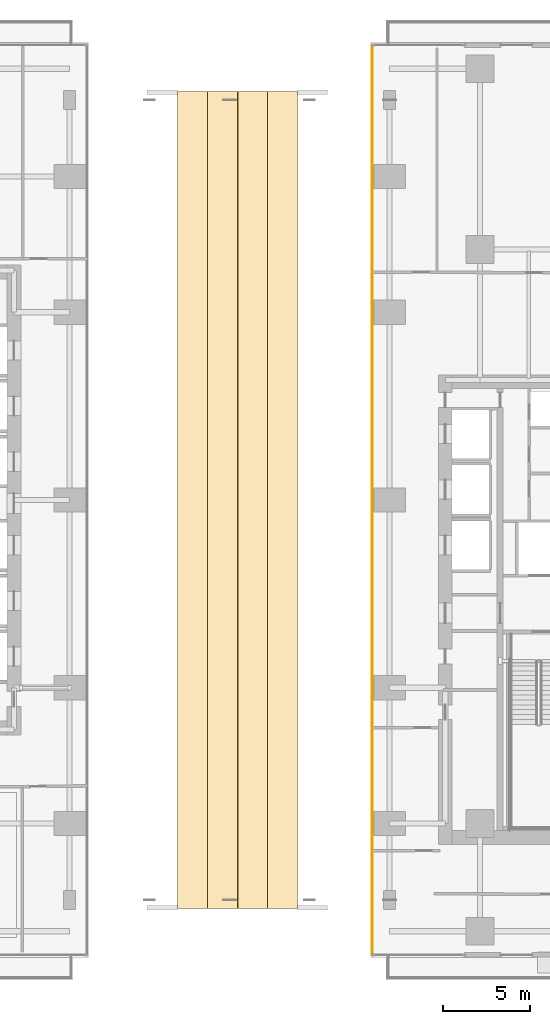
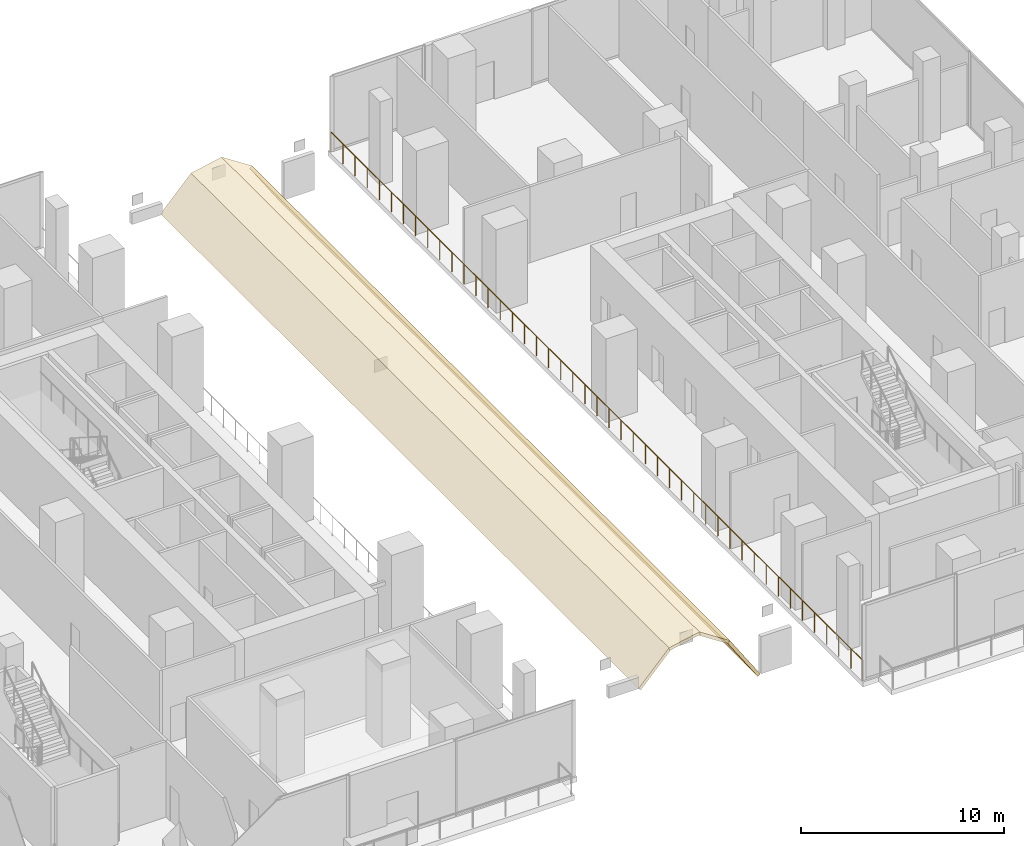
# One storey, part 27 of 32: 4 coverings, 1 railing.
"""IFC4 building model written with IfcOpenShell, lengths in metres."""

from ifc_helpers import new_model, si_unit, direction, frame, origin, origin_2d, place, context, subcontext, project, spatial, polyline, circle, outline, extrude, material, layer, layer_set, type_object, element, save


model = new_model("IFC4")

# Units and contexts
model_context = context("Model", 3, precision=1e-05, world=origin(), true_north=direction((0.0, 1.0)))
body_context = subcontext(model_context, "Body", "Model", "MODEL_VIEW")
ifc_project = project(units=[si_unit("LENGTHUNIT", "METRE"), si_unit("AREAUNIT", "SQUARE_METRE"), si_unit("VOLUMEUNIT", "CUBIC_METRE"), si_unit("PLANEANGLEUNIT", "RADIAN"), si_unit("MASSUNIT", "GRAM", prefix="KILO")], contexts=[model_context])

# Site, building, storey
site_placement = place(None, origin())
site = spatial("IfcSite", under=ifc_project, at=site_placement, CompositionType="ELEMENT")
building_placement = place(site_placement, origin())
building = spatial("IfcBuilding", under=site, at=building_placement, Name="Khairoan Windgate Tower", CompositionType="ELEMENT")
storey_placement = place(building_placement, frame((0.0, 0.0, 16.0)))
storey = spatial("IfcBuildingStorey", under=building, at=storey_placement, Name="L04", CompositionType="ELEMENT", Elevation=16.0)

# Railing
ifc_material_1 = material(Name="Anodised Bronze Aluminium 6063-T6", Category="aluminium")
railing_type = type_object("IfcRailingType", Name="Aerodynamic Bronze-and-Glass Balustrade BAL-1200", PredefinedType="BALUSTRADE", material=ifc_material_1)
railing_placement = place(storey_placement, frame((8.199951171875, -26.159912109375, 0.0)))
element("IfcRailing", 1, at=railing_placement, inside=storey, type_object=railing_type, Name="L04 Arch Void Edge Guardrail 2", PredefinedType="BALUSTRADE", context=body_context, shape_type="SweptSolid", body=[
    extrude(circle(Radius=0.02392578125, at=origin_2d()), frame((0.0, 0.0, 1.17578125), z_axis=(0.0, 1.0, 0.0), x_axis=(-1.0, 0.0, 0.0)), (0.0, 0.0, 1.0), 52.31982421875),
    extrude(circle(Radius=0.02099609375, at=origin_2d()), origin(), (0.0, 0.0, 1.0), 1.15185546875),
    extrude(circle(Radius=0.02099609375, at=origin_2d()), frame((0.0, 1.18896484375, 0.0)), (0.0, 0.0, 1.0), 1.15185546875),
    extrude(circle(Radius=0.02099609375, at=origin_2d()), frame((0.0, 2.378173828125, 0.0)), (0.0, 0.0, 1.0), 1.15185546875),
    extrude(circle(Radius=0.02099609375, at=origin_2d()), frame((0.0, 3.567138671875, 0.0)), (0.0, 0.0, 1.0), 1.15185546875),
    extrude(circle(Radius=0.02099609375, at=origin_2d()), frame((0.0, 4.75634765625, 0.0)), (0.0, 0.0, 1.0), 1.15185546875),
    extrude(circle(Radius=0.02099609375, at=origin_2d()), frame((0.0, 5.9453125, 0.0)), (0.0, 0.0, 1.0), 1.15185546875),
    extrude(circle(Radius=0.02099609375, at=origin_2d()), frame((0.0, 7.134521484375, 0.0)), (0.0, 0.0, 1.0), 1.15185546875),
    extrude(circle(Radius=0.02099609375, at=origin_2d()), frame((0.0, 8.32373046875, 0.0)), (0.0, 0.0, 1.0), 1.15185546875),
    extrude(circle(Radius=0.02099609375, at=origin_2d()), frame((0.0, 9.5126953125, 0.0)), (0.0, 0.0, 1.0), 1.15185546875),
    extrude(circle(Radius=0.02099609375, at=origin_2d()), frame((0.0, 10.70166015625, 0.0)), (0.0, 0.0, 1.0), 1.15185546875),
    extrude(circle(Radius=0.02099609375, at=origin_2d()), frame((0.0, 11.890869140625, 0.0)), (0.0, 0.0, 1.0), 1.15185546875),
    extrude(circle(Radius=0.02099609375, at=origin_2d()), frame((0.0, 13.080078125, 0.0)), (0.0, 0.0, 1.0), 1.15185546875),
    extrude(circle(Radius=0.02099609375, at=origin_2d()), frame((0.0, 14.26904296875, 0.0)), (0.0, 0.0, 1.0), 1.15185546875),
    extrude(circle(Radius=0.02099609375, at=origin_2d()), frame((0.0, 15.4580078125, 0.0)), (0.0, 0.0, 1.0), 1.15185546875),
    extrude(circle(Radius=0.02099609375, at=origin_2d()), frame((0.0, 16.647216796875, 0.0)), (0.0, 0.0, 1.0), 1.15185546875),
    extrude(circle(Radius=0.02099609375, at=origin_2d()), frame((0.0, 17.83642578125, 0.0)), (0.0, 0.0, 1.0), 1.15185546875),
    extrude(circle(Radius=0.02099609375, at=origin_2d()), frame((0.0, 19.025390625, 0.0)), (0.0, 0.0, 1.0), 1.15185546875),
    extrude(circle(Radius=0.02099609375, at=origin_2d()), frame((0.0, 20.21435546875, 0.0)), (0.0, 0.0, 1.0), 1.15185546875),
    extrude(circle(Radius=0.02099609375, at=origin_2d()), frame((0.0, 21.403564453125, 0.0)), (0.0, 0.0, 1.0), 1.15185546875),
    extrude(circle(Radius=0.02099609375, at=origin_2d()), frame((0.0, 22.5927734375, 0.0)), (0.0, 0.0, 1.0), 1.15185546875),
    extrude(circle(Radius=0.02099609375, at=origin_2d()), frame((0.0, 23.78173828125, 0.0)), (0.0, 0.0, 1.0), 1.15185546875),
    extrude(circle(Radius=0.02099609375, at=origin_2d()), frame((0.0, 24.970703125, 0.0)), (0.0, 0.0, 1.0), 1.15185546875),
    extrude(circle(Radius=0.02099609375, at=origin_2d()), frame((0.0, 26.159912109375, 0.0)), (0.0, 0.0, 1.0), 1.15185546875),
    extrude(circle(Radius=0.02099609375, at=origin_2d()), frame((0.0, 27.34912109375, 0.0)), (0.0, 0.0, 1.0), 1.15185546875),
    extrude(circle(Radius=0.02099609375, at=origin_2d()), frame((0.0, 28.5380859375, 0.0)), (0.0, 0.0, 1.0), 1.15185546875),
    extrude(circle(Radius=0.02099609375, at=origin_2d()), frame((0.0, 29.727294921875, 0.0)), (0.0, 0.0, 1.0), 1.15185546875),
    extrude(circle(Radius=0.02099609375, at=origin_2d()), frame((0.0, 30.916259765625, 0.0)), (0.0, 0.0, 1.0), 1.15185546875),
    extrude(circle(Radius=0.02099609375, at=origin_2d()), frame((0.0, 32.10546875, 0.0)), (0.0, 0.0, 1.0), 1.15185546875),
    extrude(circle(Radius=0.02099609375, at=origin_2d()), frame((0.0, 33.29443359375, 0.0)), (0.0, 0.0, 1.0), 1.15185546875),
    extrude(circle(Radius=0.02099609375, at=origin_2d()), frame((0.0, 34.4833984375, 0.0)), (0.0, 0.0, 1.0), 1.15185546875),
    extrude(circle(Radius=0.02099609375, at=origin_2d()), frame((0.0, 35.672607421875, 0.0)), (0.0, 0.0, 1.0), 1.15185546875),
    extrude(circle(Radius=0.02099609375, at=origin_2d()), frame((0.0, 36.86181640625, 0.0)), (0.0, 0.0, 1.0), 1.15185546875),
    extrude(circle(Radius=0.02099609375, at=origin_2d()), frame((0.0, 38.05078125, 0.0)), (0.0, 0.0, 1.0), 1.15185546875),
    extrude(circle(Radius=0.02099609375, at=origin_2d()), frame((0.0, 39.23974609375, 0.0)), (0.0, 0.0, 1.0), 1.15185546875),
    extrude(circle(Radius=0.02099609375, at=origin_2d()), frame((0.0, 40.428955078125, 0.0)), (0.0, 0.0, 1.0), 1.15185546875),
    extrude(circle(Radius=0.02099609375, at=origin_2d()), frame((0.0, 41.6181640625, 0.0)), (0.0, 0.0, 1.0), 1.15185546875),
    extrude(circle(Radius=0.02099609375, at=origin_2d()), frame((0.0, 42.80712890625, 0.0)), (0.0, 0.0, 1.0), 1.15185546875),
    extrude(circle(Radius=0.02099609375, at=origin_2d()), frame((0.0, 43.99609375, 0.0)), (0.0, 0.0, 1.0), 1.15185546875),
    extrude(circle(Radius=0.02099609375, at=origin_2d()), frame((0.0, 45.185302734375, 0.0)), (0.0, 0.0, 1.0), 1.15185546875),
    extrude(circle(Radius=0.02099609375, at=origin_2d()), frame((0.0, 46.37451171875, 0.0)), (0.0, 0.0, 1.0), 1.15185546875),
    extrude(circle(Radius=0.02099609375, at=origin_2d()), frame((0.0, 47.5634765625, 0.0)), (0.0, 0.0, 1.0), 1.15185546875),
    extrude(circle(Radius=0.02099609375, at=origin_2d()), frame((0.0, 48.75244140625, 0.0)), (0.0, 0.0, 1.0), 1.15185546875),
    extrude(circle(Radius=0.02099609375, at=origin_2d()), frame((0.0, 49.941650390625, 0.0)), (0.0, 0.0, 1.0), 1.15185546875),
    extrude(circle(Radius=0.02099609375, at=origin_2d()), frame((0.0, 51.130859375, 0.0)), (0.0, 0.0, 1.0), 1.15185546875),
    extrude(circle(Radius=0.02099609375, at=origin_2d()), frame((0.0, 52.31982421875, 0.0)), (0.0, 0.0, 1.0), 1.15185546875),
])

# Coverings
ifc_material_2 = material(Name="Anodised Bronze Aluminium 6063-T6", Category="aluminium")
ifc_layer = layer(ifc_material_2, 0.179931640625, Name="Anodised Bronze Aluminium 6063-T6")
ifc_layer_set = layer_set([ifc_layer], Name="Anodised Bronze Aluminium 6063-T6")
covering_type = type_object("IfcCoveringType", Name="Sculpted Parabolic Arch and Crown Cladding", PredefinedType="CLADDING", material=ifc_layer_set)
covering_1_placement = place(storey_placement, frame((-3.010009765625, -23.5, 1.806396484375), z_axis=(-0.728160235817, 0.0, 0.685406938231), x_axis=(0.685406938231, 0.0, 0.728160235817)))
element("IfcCovering", 2, at=covering_1_placement, inside=storey, type_object=covering_type, Name="Monumental Podium Parabolic Arch Barrel-Vault Cladding 04", PredefinedType="CLADDING", context=body_context, shape_type="SweptSolid", body=[
    extrude(outline(polyline([(0.0, 0.0), (2.5240194871908894, 0.0), (2.5240194871908894, 47.0), (0.0, 47.0), (0.0, 0.0)])), origin(), (0.0, 0.0, -1.0), 0.179931640625),
])
covering_2_placement = place(storey_placement, frame((-1.280029296875, -23.5, 3.644287109375), z_axis=(-0.201403294418, 0.0, 0.97950840374), x_axis=(0.97950840374, 0.0, 0.201403294418)))
element("IfcCovering", 3, at=covering_2_placement, inside=storey, type_object=covering_type, Name="Monumental Podium Parabolic Arch Barrel-Vault Cladding 05", PredefinedType="CLADDING", context=body_context, shape_type="SweptSolid", body=[
    extrude(outline(polyline([(0.0, 0.0), (1.7661721554857732, 0.0), (1.7661721554857732, 47.0), (0.0, 47.0), (0.0, 0.0)])), origin(), (0.0, 0.0, -1.0), 0.179931640625),
])
covering_3_placement = place(storey_placement, frame((0.449951171875, -23.5, 4.0), z_axis=(0.545744625187, 0.0, 0.837951552346), x_axis=(0.837951552346, 0.0, -0.545744625187)))
element("IfcCovering", 4, at=covering_3_placement, inside=storey, type_object=covering_type, Name="Monumental Podium Parabolic Arch Barrel-Vault Cladding 06", PredefinedType="CLADDING", context=body_context, shape_type="SweptSolid", body=[
    extrude(outline(polyline([(0.0, 0.0), (2.064535191690327, 0.0), (2.064535191690327, 47.0), (0.0, 47.0), (0.0, 0.0)])), origin(), (0.0, 0.0, -1.0), 0.179931640625),
])
covering_4_placement = place(storey_placement, frame((2.179931640625, -23.5, 2.873291015625), z_axis=(0.833415612946, 0.0, 0.552646737164), x_axis=(0.552646737164, 0.0, -0.833415612946)))
element("IfcCovering", 5, at=covering_4_placement, inside=storey, type_object=covering_type, Name="Monumental Podium Parabolic Arch Barrel-Vault Cladding 07", PredefinedType="CLADDING", context=body_context, shape_type="SweptSolid", body=[
    extrude(outline(polyline([(0.0, 0.0), (3.1303549852255754, 0.0), (3.1303549852255754, 47.0), (0.0, 47.0), (0.0, 0.0)])), origin(), (0.0, 0.0, -1.0), 0.179931640625),
])

save(model, "model.ifc")
